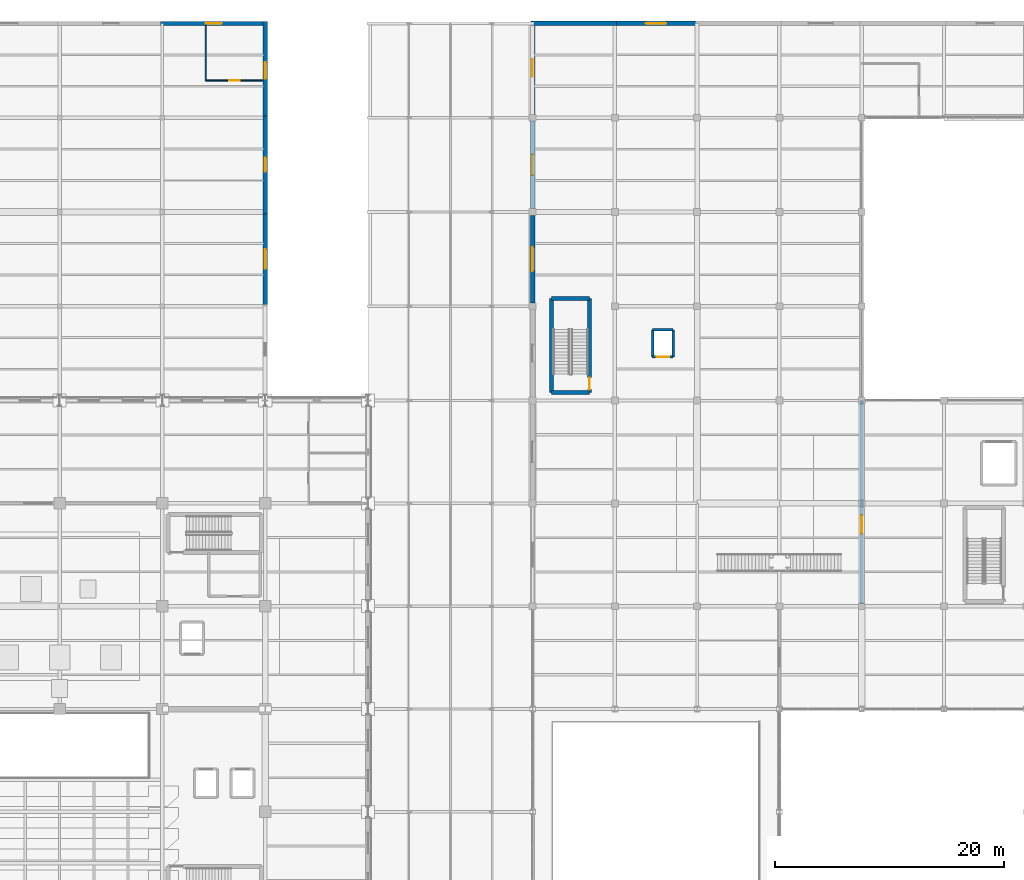
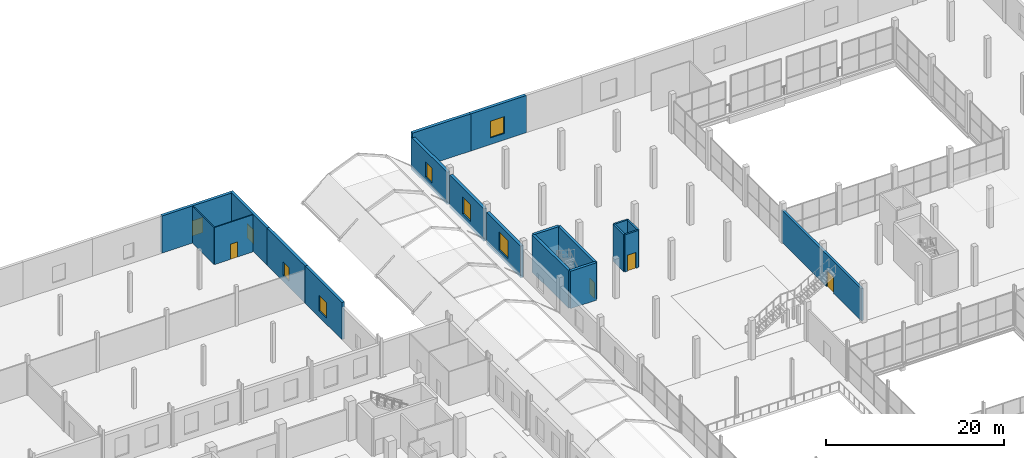
# One storey, part 122 of 141: 20 walls, 8 windows, 4 doors, 12 openings.
"""IFC4 building model written with IfcOpenShell, lengths in metres."""

from ifc_helpers import new_model, si_unit, direction, frame, frame_2d, origin, place, context, subcontext, project, spatial, rectangle, extrude, material, layer, layer_set, type_object, element, fill, save


model = new_model("IFC4")

# Units and contexts
model_context = context("Model", 3, precision=1e-05, world=origin(), true_north=direction((0.0, 1.0)))
body_context = subcontext(model_context, "Body", "Model", "MODEL_VIEW")
ifc_project = project(units=[si_unit("LENGTHUNIT", "METRE"), si_unit("AREAUNIT", "SQUARE_METRE"), si_unit("VOLUMEUNIT", "CUBIC_METRE"), si_unit("PLANEANGLEUNIT", "RADIAN"), si_unit("MASSUNIT", "GRAM", prefix="KILO")], contexts=[model_context])

# Site, building, storey
site_placement = place(None, origin())
site = spatial("IfcSite", under=ifc_project, at=site_placement, CompositionType="ELEMENT")
building_placement = place(site_placement, origin())
building = spatial("IfcBuilding", under=site, at=building_placement, Name="Sundgate Opera House", CompositionType="ELEMENT")
storey_placement = place(building_placement, frame((0.0, 0.0, 11.39990234375)))
storey = spatial("IfcBuildingStorey", under=building, at=storey_placement, Name="L02", CompositionType="ELEMENT", Elevation=11.39990234375)

# Walls
ifc_material_1 = material(Name="Concrete C40/50", Category="concrete")
ifc_layer_1 = layer(ifc_material_1, 0.35009765625)
ifc_layer_set_1 = layer_set([ifc_layer_1], Name="Concrete C40/50")
wall_type_1 = type_object("IfcWallType", Name="WL-CORE-350", PredefinedType="SHEAR", material=ifc_layer_set_1)
for number, where, z_axis, x_axis, name in (
    (1, (97.06005859375, 87.7099609375, 0.0), (0.0, 0.0, 1.0), (1.0, 0.0, 0.0), "L02 C5 South Shaft Wall"),
    (2, (97.06005859375, 95.93994140625, 0.0), (0.0, 0.0, 1.0), (1.0, 0.0, 0.0), "L02 C5 North Shaft Wall"),
):
    element("IfcWall", number, at=place(storey_placement, frame(where, z_axis=z_axis, x_axis=x_axis)), inside=storey, type_object=wall_type_1, Name=name, PredefinedType="SHEAR", context=body_context, shape_type="SweptSolid", body=[
        extrude(rectangle(XDim=3.329833984375, YDim=0.35009765625, at=frame_2d((1.6650390625, 0.0))), origin(), (0.0, 0.0, 1.0), 5.1201171875),
    ])
wall_1_placement = place(storey_placement, frame((97.06005859375, 87.7099609375, 0.0), z_axis=(0.0, 0.0, 1.0), x_axis=(0.0, 1.0, 0.0)))
element("IfcWall", 3, at=wall_1_placement, inside=storey, type_object=wall_type_1, Name="L02 C5 West Shaft Wall", PredefinedType="SHEAR", context=body_context, shape_type="SweptSolid", body=[
    extrude(rectangle(XDim=8.22998046875, YDim=0.35009765625, at=frame_2d((4.114990234375, 0.0))), origin(), (0.0, 0.0, 1.0), 5.1201171875),
])

# Wall, opening, door
wall_2_placement = place(storey_placement, frame((100.389892578125, 87.7099609375, 0.0), z_axis=(0.0, 0.0, 1.0), x_axis=(0.0, 1.0, 0.0)))
wall_2 = element("IfcWall", 4, at=wall_2_placement, inside=storey, type_object=wall_type_1, Name="L02 C5 East Shaft Wall", PredefinedType="SHEAR", context=body_context, shape_type="SweptSolid", body=[
    extrude(rectangle(XDim=8.22998046875, YDim=0.35009765625, at=frame_2d((4.114990234375, 0.0))), origin(), (0.0, 0.0, 1.0), 5.1201171875),
])
opening_1_placement = place(wall_2_placement, frame((0.239990234375, 0.0, 0.0)))
opening_1 = element("IfcOpeningElement", 5, at=opening_1_placement, cuts=wall_2, Name="Opening DI01", PredefinedType="OPENING", context=body_context, shape_type="SweptSolid", body=[
    extrude(rectangle(XDim=1.050048828125, YDim=2.179931640625, at=frame_2d((0.52490234375, 1.08984375))), frame((0.0, 0.18505859375, 0.0), z_axis=(0.0, -1.0, 0.0), x_axis=(1.0, 0.0, 0.0)), (0.0, 0.0, 1.0), 0.3701171875),
])
ifc_material_2 = material(Name="Acoustic hardwood timber and steel core", Category="steel")
door_type_1 = type_object("IfcDoorType", Name="DR-STAIR-1050x2180", OperationType="NOTDEFINED", PredefinedType="DOOR", material=ifc_material_2)
door_1_placement = place(opening_1_placement, origin())
door_1 = element("IfcDoor", 6, at=door_1_placement, inside=storey, type_object=door_type_1, Name="L02 C5 Stair Door D0075", OperationType="SINGLE_SWING_LEFT", OverallHeight=2.179931640625, OverallWidth=1.050048828125, PredefinedType="DOOR", context=body_context, shape_type="SweptSolid", body=[
    extrude(rectangle(XDim=1.050048828125, YDim=2.179931640625, at=frame_2d((0.52490234375, 1.08984375))), frame((0.0, 0.02490234375, 0.0), z_axis=(0.0, -1.0, 0.0), x_axis=(1.0, 0.0, 0.0)), (0.0, 0.0, 1.0), 0.050048828125),
])
fill(opening_1, door_1)

# Wall, opening, window
ifc_material_3 = material(Name="Scanian red-brown facing brick masonry", Category="masonry")
ifc_layer_2 = layer(ifc_material_3, 0.360107421875)
ifc_layer_set_2 = layer_set([ifc_layer_2], Name="Scanian red-brown facing brick masonry")
wall_type_2 = type_object("IfcWallType", Name="WL-EXT-BRICK-360", PredefinedType="SOLIDWALL", material=ifc_layer_set_2)
wall_3_placement = place(storey_placement, frame((62.840087890625, 120.0, 0.0), z_axis=(0.0, 0.0, 1.0), x_axis=(1.0, 0.0, 0.0)))
wall_3 = element("IfcWall", 7, at=wall_3_placement, inside=storey, type_object=wall_type_2, Name="L02 Costume Wing North Wall W0412", PredefinedType="SOLIDWALL", context=body_context, shape_type="SweptSolid", body=[
    extrude(rectangle(XDim=9.31982421875, YDim=0.360107421875, at=frame_2d((4.659912109375, 0.0))), origin(), (0.0, 0.0, 1.0), 5.085205078125),
])
opening_2_placement = place(wall_3_placement, frame((3.9599609375, 0.0, 0.85009765625)))
opening_2 = element("IfcOpeningElement", 8, at=opening_2_placement, cuts=wall_3, Name="Opening W11", PredefinedType="OPENING", context=body_context, shape_type="SweptSolid", body=[
    extrude(rectangle(XDim=1.39990234375, YDim=2.10009765625, at=frame_2d((0.699951171875, 1.050048828125))), frame((0.0, 0.18994140625, 0.0), z_axis=(0.0, -1.0, 0.0), x_axis=(1.0, 0.0, 0.0)), (0.0, 0.0, 1.0), 0.380126953125),
])
ifc_material_4 = material(Name="Low-iron triple glazing in patinated bronze frame", Category="glass")
window_type_1 = type_object("IfcWindowType", Name="WN-FOYR-1400x2100", PartitioningType="SINGLE_PANEL", PredefinedType="WINDOW", material=ifc_material_4)
window_1_placement = place(opening_2_placement, origin())
window_1 = element("IfcWindow", 9, at=window_1_placement, inside=storey, type_object=window_type_1, Name="L02 Costume Pavilion Window WN0325", OverallHeight=2.10009765625, OverallWidth=1.39990234375, PartitioningType="SINGLE_PANEL", PredefinedType="WINDOW", context=body_context, shape_type="SweptSolid", body=[
    extrude(rectangle(XDim=1.39990234375, YDim=2.10009765625, at=frame_2d((0.699951171875, 1.050048828125))), frame((0.0, 0.030029296875, 0.0), z_axis=(0.0, -1.0, 0.0), x_axis=(1.0, 0.0, 0.0)), (0.0, 0.0, 1.0), 0.06005859375),
])
fill(opening_2, window_1)

wall_4_placement = place(storey_placement, frame((72.0, 95.090087890625, 0.0), z_axis=(0.0, 0.0, 1.0), x_axis=(0.0, 1.0, 0.0)))
wall_4 = element("IfcWall", 10, at=wall_4_placement, inside=storey, type_object=wall_type_2, Name="L02 Costume Wing East Wall W0418", PredefinedType="SOLIDWALL", context=body_context, shape_type="SweptSolid", body=[
    extrude(rectangle(XDim=8.56982421875, YDim=0.360107421875, at=frame_2d((4.284912109375, 0.0))), origin(), (0.0, 0.0, 1.0), 5.085205078125),
])
opening_3_placement = place(wall_4_placement, frame((3.43505859375, 0.0, 0.85009765625)))
opening_3 = element("IfcOpeningElement", 11, at=opening_3_placement, cuts=wall_4, Name="Opening W13", PredefinedType="OPENING", context=body_context, shape_type="SweptSolid", body=[
    extrude(rectangle(XDim=1.699951171875, YDim=2.14990234375, at=frame_2d((0.85009765625, 1.074951171875))), frame((0.0, 0.18994140625, 0.0), z_axis=(0.0, -1.0, 0.0), x_axis=(1.0, 0.0, 0.0)), (0.0, 0.0, 1.0), 0.380126953125),
])
ifc_material_5 = material(Name="Low-iron triple glazing in patinated bronze frame", Category="glass")
window_type_2 = type_object("IfcWindowType", Name="WN-GALL-1700x2150", PartitioningType="SINGLE_PANEL", PredefinedType="WINDOW", material=ifc_material_5)
window_2_placement = place(opening_3_placement, origin())
window_2 = element("IfcWindow", 12, at=window_2_placement, inside=storey, type_object=window_type_2, Name="L02 Costume Pavilion Window WN0331", OverallHeight=2.14990234375, OverallWidth=1.699951171875, PartitioningType="SINGLE_PANEL", PredefinedType="WINDOW", context=body_context, shape_type="SweptSolid", body=[
    extrude(rectangle(XDim=1.699951171875, YDim=2.14990234375, at=frame_2d((0.85009765625, 1.074951171875))), frame((0.0, 0.030029296875, 0.0), z_axis=(0.0, -1.0, 0.0), x_axis=(1.0, 0.0, 0.0)), (0.0, 0.0, 1.0), 0.06005859375),
])
fill(opening_3, window_2)

wall_5_placement = place(storey_placement, frame((72.0, 103.340087890625, 0.0), z_axis=(0.0, 0.0, 1.0), x_axis=(0.0, 1.0, 0.0)))
wall_5 = element("IfcWall", 13, at=wall_5_placement, inside=storey, type_object=wall_type_2, Name="L02 Costume Wing East Wall W0419", PredefinedType="SOLIDWALL", context=body_context, shape_type="SweptSolid", body=[
    extrude(rectangle(XDim=8.56982421875, YDim=0.360107421875, at=frame_2d((4.284912109375, 0.0))), origin(), (0.0, 0.0, 1.0), 5.085205078125),
])
opening_4_placement = place(wall_5_placement, frame((3.659912109375, 0.0, 0.85009765625)))
opening_4 = element("IfcOpeningElement", 14, at=opening_4_placement, cuts=wall_5, Name="Opening W14", PredefinedType="OPENING", context=body_context, shape_type="SweptSolid", body=[
    extrude(rectangle(XDim=1.25, YDim=1.85009765625, at=frame_2d((0.625, 0.925048828125))), frame((0.0, 0.18994140625, 0.0), z_axis=(0.0, -1.0, 0.0), x_axis=(1.0, 0.0, 0.0)), (0.0, 0.0, 1.0), 0.380126953125),
])
ifc_material_6 = material(Name="Low-iron triple glazing in patinated bronze frame", Category="glass")
window_type_3 = type_object("IfcWindowType", Name="WN-DRES-1250x1850", PartitioningType="SINGLE_PANEL", PredefinedType="WINDOW", material=ifc_material_6)
window_3_placement = place(opening_4_placement, origin())
window_3 = element("IfcWindow", 15, at=window_3_placement, inside=storey, type_object=window_type_3, Name="L02 Costume Pavilion Window WN0332", OverallHeight=1.85009765625, OverallWidth=1.25, PartitioningType="SINGLE_PANEL", PredefinedType="WINDOW", context=body_context, shape_type="SweptSolid", body=[
    extrude(rectangle(XDim=1.25, YDim=1.85009765625, at=frame_2d((0.625, 0.925048828125))), frame((0.0, 0.030029296875, 0.0), z_axis=(0.0, -1.0, 0.0), x_axis=(1.0, 0.0, 0.0)), (0.0, 0.0, 1.0), 0.06005859375),
])
fill(opening_4, window_3)

wall_6_placement = place(storey_placement, frame((72.0, 111.590087890625, 0.0), z_axis=(0.0, 0.0, 1.0), x_axis=(0.0, 1.0, 0.0)))
wall_6 = element("IfcWall", 16, at=wall_6_placement, inside=storey, type_object=wall_type_2, Name="L02 Costume Wing East Wall W0420", PredefinedType="SOLIDWALL", context=body_context, shape_type="SweptSolid", body=[
    extrude(rectangle(XDim=8.56982421875, YDim=0.360107421875, at=frame_2d((4.284912109375, 0.0))), origin(), (0.0, 0.0, 1.0), 5.085205078125),
])
opening_5_placement = place(wall_6_placement, frame((3.56005859375, 0.0, 0.85009765625)))
opening_5 = element("IfcOpeningElement", 17, at=opening_5_placement, cuts=wall_6, Name="Opening W15", PredefinedType="OPENING", context=body_context, shape_type="SweptSolid", body=[
    extrude(rectangle(XDim=1.449951171875, YDim=1.949951171875, at=frame_2d((0.72509765625, 0.97509765625))), frame((0.0, 0.18994140625, 0.0), z_axis=(0.0, -1.0, 0.0), x_axis=(1.0, 0.0, 0.0)), (0.0, 0.0, 1.0), 0.380126953125),
])
ifc_material_7 = material(Name="Low-iron triple glazing in patinated bronze frame", Category="glass")
window_type_4 = type_object("IfcWindowType", Name="WN-LIBR-1450x1950", PartitioningType="SINGLE_PANEL", PredefinedType="WINDOW", material=ifc_material_7)
window_4_placement = place(opening_5_placement, origin())
window_4 = element("IfcWindow", 18, at=window_4_placement, inside=storey, type_object=window_type_4, Name="L02 Costume Pavilion Window WN0333", OverallHeight=1.949951171875, OverallWidth=1.449951171875, PartitioningType="SINGLE_PANEL", PredefinedType="WINDOW", context=body_context, shape_type="SweptSolid", body=[
    extrude(rectangle(XDim=1.449951171875, YDim=1.949951171875, at=frame_2d((0.72509765625, 0.97509765625))), frame((0.0, 0.030029296875, 0.0), z_axis=(0.0, -1.0, 0.0), x_axis=(1.0, 0.0, 0.0)), (0.0, 0.0, 1.0), 0.06005859375),
])
fill(opening_5, window_4)

# Wall
ifc_material_8 = material(Name="Scanian red-brown facing brick masonry", Category="masonry")
ifc_layer_3 = layer(ifc_material_8, 0.389892578125)
ifc_layer_set_3 = layer_set([ifc_layer_3], Name="Scanian red-brown facing brick masonry")
wall_type_3 = type_object("IfcWallType", Name="WL-EXT-BRICK-390", PredefinedType="SOLIDWALL", material=ifc_layer_set_3)
wall_7_placement = place(storey_placement, frame((95.239990234375, 120.0, 0.0), z_axis=(0.0, 0.0, 1.0), x_axis=(1.0, 0.0, 0.0)))
element("IfcWall", 19, at=wall_7_placement, inside=storey, type_object=wall_type_3, Name="L02 Conservatory North Brick Wall W0224", PredefinedType="SOLIDWALL", context=body_context, shape_type="SweptSolid", body=[
    extrude(rectangle(XDim=7.52001953125, YDim=0.389892578125, at=frame_2d((3.760009765625, 0.0))), origin(), (0.0, 0.0, 1.0), 5.085205078125),
])

# Wall, opening, window
wall_8_placement = place(storey_placement, frame((102.43994140625, 120.0, 0.0), z_axis=(0.0, 0.0, 1.0), x_axis=(1.0, 0.0, 0.0)))
wall_8 = element("IfcWall", 20, at=wall_8_placement, inside=storey, type_object=wall_type_3, Name="L02 Conservatory North Brick Wall W0225", PredefinedType="SOLIDWALL", context=body_context, shape_type="SweptSolid", body=[
    extrude(rectangle(XDim=7.52001953125, YDim=0.389892578125, at=frame_2d((3.760009765625, 0.0))), origin(), (0.0, 0.0, 1.0), 5.085205078125),
])
opening_6_placement = place(wall_8_placement, frame((2.860107421875, 0.0, 0.89990234375)))
opening_6 = element("IfcOpeningElement", 21, at=opening_6_placement, cuts=wall_8, Name="Opening W05", PredefinedType="OPENING", context=body_context, shape_type="SweptSolid", body=[
    extrude(rectangle(XDim=1.800048828125, YDim=2.300048828125, at=frame_2d((0.89990234375, 1.14990234375))), frame((0.0, 0.204833984375, 0.0), z_axis=(0.0, -1.0, 0.0), x_axis=(1.0, 0.0, 0.0)), (0.0, 0.0, 1.0), 0.409912109375),
])
ifc_material_9 = material(Name="Low-iron triple glazing in patinated bronze frame", Category="glass")
window_type_5 = type_object("IfcWindowType", Name="WN-CONS-1800x2300", PartitioningType="SINGLE_PANEL", PredefinedType="WINDOW", material=ifc_material_9)
window_5_placement = place(opening_6_placement, origin())
window_5 = element("IfcWindow", 22, at=window_5_placement, inside=storey, type_object=window_type_5, Name="L02 Conservatory Window WN0177", OverallHeight=2.300048828125, OverallWidth=1.800048828125, PartitioningType="SINGLE_PANEL", PredefinedType="WINDOW", context=body_context, shape_type="SweptSolid", body=[
    extrude(rectangle(XDim=1.800048828125, YDim=2.300048828125, at=frame_2d((0.89990234375, 1.14990234375))), frame((0.0, 0.030029296875, 0.0), z_axis=(0.0, -1.0, 0.0), x_axis=(1.0, 0.0, 0.0)), (0.0, 0.0, 1.0), 0.06005859375),
])
fill(opening_6, window_5)

wall_9_placement = place(storey_placement, frame((95.39990234375, 103.205078125, 0.0), z_axis=(0.0, 0.0, 1.0), x_axis=(0.0, -1.0, 0.0)))
wall_9 = element("IfcWall", 23, at=wall_9_placement, inside=storey, type_object=wall_type_3, Name="L02 Conservatory West Brick Wall W0243", PredefinedType="SOLIDWALL", context=body_context, shape_type="SweptSolid", body=[
    extrude(rectangle(XDim=7.66015625, YDim=0.389892578125, at=frame_2d((3.830078125, 0.0))), origin(), (0.0, 0.0, 1.0), 4.335205078125),
])
opening_7_placement = place(wall_9_placement, frame((2.780029296875, 0.0, 0.89990234375)))
opening_7 = element("IfcOpeningElement", 24, at=opening_7_placement, cuts=wall_9, Name="Opening W04", PredefinedType="OPENING", context=body_context, shape_type="SweptSolid", body=[
    extrude(rectangle(XDim=2.10009765625, YDim=2.5, at=frame_2d((1.050048828125, 1.25))), frame((0.0, 0.204833984375, 0.0), z_axis=(0.0, -1.0, 0.0), x_axis=(1.0, 0.0, 0.0)), (0.0, 0.0, 1.0), 0.409912109375),
])
ifc_material_10 = material(Name="Low-iron triple glazing in patinated bronze frame", Category="glass")
window_type_6 = type_object("IfcWindowType", Name="WN-CONS-2100x2500", PartitioningType="SINGLE_PANEL", PredefinedType="WINDOW", material=ifc_material_10)
window_6_placement = place(opening_7_placement, origin())
window_6 = element("IfcWindow", 25, at=window_6_placement, inside=storey, type_object=window_type_6, Name="L02 Conservatory Window WN0191", OverallHeight=2.5, OverallWidth=2.10009765625, PartitioningType="SINGLE_PANEL", PredefinedType="WINDOW", context=body_context, shape_type="SweptSolid", body=[
    extrude(rectangle(XDim=2.10009765625, YDim=2.5, at=frame_2d((1.050048828125, 1.25))), frame((0.0, 0.030029296875, 0.0), z_axis=(0.0, -1.0, 0.0), x_axis=(1.0, 0.0, 0.0)), (0.0, 0.0, 1.0), 0.06005859375),
])
fill(opening_7, window_6)

wall_10_placement = place(storey_placement, frame((95.39990234375, 111.455078125, 0.0), z_axis=(0.0, 0.0, 1.0), x_axis=(0.0, -1.0, 0.0)))
wall_10 = element("IfcWall", 26, at=wall_10_placement, inside=storey, type_object=wall_type_3, Name="L02 Conservatory West Brick Wall W0244", PredefinedType="SOLIDWALL", context=body_context, shape_type="SweptSolid", body=[
    extrude(rectangle(XDim=7.66015625, YDim=0.389892578125, at=frame_2d((3.830078125, 0.0))), origin(), (0.0, 0.0, 1.0), 4.43505859375),
])
opening_8_placement = place(wall_10_placement, frame((2.929931640625, 0.0, 0.89990234375)))
opening_8 = element("IfcOpeningElement", 27, at=opening_8_placement, cuts=wall_10, Name="Opening W05", PredefinedType="OPENING", context=body_context, shape_type="SweptSolid", body=[
    extrude(rectangle(XDim=1.800048828125, YDim=2.300048828125, at=frame_2d((0.89990234375, 1.14990234375))), frame((0.0, 0.204833984375, 0.0), z_axis=(0.0, -1.0, 0.0), x_axis=(1.0, 0.0, 0.0)), (0.0, 0.0, 1.0), 0.409912109375),
])
window_7_placement = place(opening_8_placement, origin())
window_7 = element("IfcWindow", 28, at=window_7_placement, inside=storey, type_object=window_type_5, Name="L02 Conservatory Window WN0192", OverallHeight=2.300048828125, OverallWidth=1.800048828125, PartitioningType="SINGLE_PANEL", PredefinedType="WINDOW", context=body_context, shape_type="SweptSolid", body=[
    extrude(rectangle(XDim=1.800048828125, YDim=2.300048828125, at=frame_2d((0.89990234375, 1.14990234375))), frame((0.0, 0.030029296875, 0.0), z_axis=(0.0, -1.0, 0.0), x_axis=(1.0, 0.0, 0.0)), (0.0, 0.0, 1.0), 0.06005859375),
])
fill(opening_8, window_7)

wall_11_placement = place(storey_placement, frame((95.39990234375, 120.159912109375, 0.0), z_axis=(0.0, 0.0, 1.0), x_axis=(0.0, -1.0, 0.0)))
wall_11 = element("IfcWall", 29, at=wall_11_placement, inside=storey, type_object=wall_type_3, Name="L02 Conservatory West Brick Wall W0245", PredefinedType="SOLIDWALL", context=body_context, shape_type="SweptSolid", body=[
    extrude(rectangle(XDim=8.114990234375, YDim=0.389892578125, at=frame_2d((4.0576171875, 0.0))), origin(), (0.0, 0.0, 1.0), 4.43505859375),
])
opening_9_placement = place(wall_11_placement, frame((3.30810546875, 0.0, 0.89990234375)))
opening_9 = element("IfcOpeningElement", 30, at=opening_9_placement, cuts=wall_11, Name="Opening W06", PredefinedType="OPENING", context=body_context, shape_type="SweptSolid", body=[
    extrude(rectangle(XDim=1.5, YDim=2.050048828125, at=frame_2d((0.75, 1.02490234375))), frame((0.0, 0.204833984375, 0.0), z_axis=(0.0, -1.0, 0.0), x_axis=(1.0, 0.0, 0.0)), (0.0, 0.0, 1.0), 0.409912109375),
])
ifc_material_11 = material(Name="Low-iron triple glazing in patinated bronze frame", Category="glass")
window_type_7 = type_object("IfcWindowType", Name="WN-CONS-1500x2050", PartitioningType="SINGLE_PANEL", PredefinedType="WINDOW", material=ifc_material_11)
window_8_placement = place(opening_9_placement, origin())
window_8 = element("IfcWindow", 31, at=window_8_placement, inside=storey, type_object=window_type_7, Name="L02 Conservatory Window WN0193", OverallHeight=2.050048828125, OverallWidth=1.5, PartitioningType="SINGLE_PANEL", PredefinedType="WINDOW", context=body_context, shape_type="SweptSolid", body=[
    extrude(rectangle(XDim=1.5, YDim=2.050048828125, at=frame_2d((0.75, 1.02490234375))), frame((0.0, 0.030029296875, 0.0), z_axis=(0.0, -1.0, 0.0), x_axis=(1.0, 0.0, 0.0)), (0.0, 0.0, 1.0), 0.06005859375),
])
fill(opening_9, window_8)

# Wall, opening, door
ifc_material_12 = material(Name="Double-leaf acoustic concrete blockwork C35/45", Category="masonry")
ifc_layer_4 = layer(ifc_material_12, 0.300048828125)
ifc_layer_set_4 = layer_set([ifc_layer_4], Name="Double-leaf acoustic concrete blockwork C35/45")
wall_type_4 = type_object("IfcWallType", Name="WL-INT-ACOUST-300", PredefinedType="PARTITIONING", material=ifc_layer_set_4)
wall_12_placement = place(storey_placement, frame((124.199951171875, 69.199951171875, 0.0), z_axis=(0.0, 0.0, 1.0), x_axis=(0.0, 1.0, 0.0)))
wall_12 = element("IfcWall", 32, at=wall_12_placement, inside=storey, type_object=wall_type_4, Name="L02 Interior Partition W1061", PredefinedType="PARTITIONING", context=body_context, shape_type="SweptSolid", body=[
    extrude(rectangle(XDim=17.800048828125, YDim=0.300048828125, at=frame_2d((8.89990234375, 0.0))), origin(), (0.0, 0.0, 1.0), 4.385009765625),
])
opening_10_placement = place(wall_12_placement, frame((6.156005859375, 0.0, 0.0)))
opening_10 = element("IfcOpeningElement", 33, at=opening_10_placement, cuts=wall_12, Name="Opening DI06", PredefinedType="OPENING", context=body_context, shape_type="SweptSolid", body=[
    extrude(rectangle(XDim=1.60009765625, YDim=2.25, at=frame_2d((0.800048828125, 1.125))), frame((0.0, 0.159912109375, 0.0), z_axis=(0.0, -1.0, 0.0), x_axis=(1.0, 0.0, 0.0)), (0.0, 0.0, 1.0), 0.320068359375),
])
ifc_material_13 = material(Name="Acoustic hardwood timber and steel core", Category="steel")
door_type_2 = type_object("IfcDoorType", Name="DR-REH-1600x2250", OperationType="DOUBLE_DOOR_SINGLE_SWING", PredefinedType="DOOR", material=ifc_material_13)
door_2_placement = place(opening_10_placement, origin())
door_2 = element("IfcDoor", 34, at=door_2_placement, inside=storey, type_object=door_type_2, Name="L02 Interior Door D0222", OperationType="DOUBLE_DOOR_SINGLE_SWING", OverallHeight=2.25, OverallWidth=1.60009765625, PredefinedType="DOOR", context=body_context, shape_type="SweptSolid", body=[
    extrude(rectangle(XDim=1.60009765625, YDim=2.25, at=frame_2d((0.800048828125, 1.125))), frame((0.0, 0.02490234375, 0.0), z_axis=(0.0, -1.0, 0.0), x_axis=(1.0, 0.0, 0.0)), (0.0, 0.0, 1.0), 0.050048828125),
])
fill(opening_10, door_2)

ifc_material_14 = material(Name="Fire-rated gypsum and mineral-wool shaft partition", Category="gypsum")
ifc_layer_5 = layer(ifc_material_14, 0.219970703125)
ifc_layer_set_5 = layer_set([ifc_layer_5], Name="Fire-rated gypsum and mineral-wool shaft partition")
wall_type_5 = type_object("IfcWallType", Name="WL-INT-FIRE-220", PredefinedType="PARTITIONING", material=ifc_layer_set_5)
wall_13_placement = place(storey_placement, frame((105.909912109375, 90.81005859375, 0.0), z_axis=(0.0, 0.0, 1.0), x_axis=(1.0, 0.0, 0.0)))
wall_13 = element("IfcWall", 35, at=wall_13_placement, inside=storey, type_object=wall_type_5, Name="L02 LF-04 South Shaft Wall", PredefinedType="PARTITIONING", context=body_context, shape_type="SweptSolid", body=[
    extrude(rectangle(XDim=1.780029296875, YDim=0.219970703125, at=frame_2d((0.89013671875, 0.0))), origin(), (0.0, 0.0, 1.0), 5.085205078125),
])
opening_11_placement = place(wall_13_placement, frame((0.340087890625, 0.0, 0.0)))
opening_11 = element("IfcOpeningElement", 36, at=opening_11_placement, cuts=wall_13, Name="Opening LD1", PredefinedType="OPENING", context=body_context, shape_type="SweptSolid", body=[
    extrude(rectangle(XDim=1.10009765625, YDim=2.179931640625, at=frame_2d((0.550048828125, 1.08984375))), frame((0.0, 0.119873046875, 0.0), z_axis=(0.0, -1.0, 0.0), x_axis=(1.0, 0.0, 0.0)), (0.0, 0.0, 1.0), 0.239990234375),
])
ifc_material_15 = material(Name="Brushed stainless steel EN 1.4301", Category="steel")
door_type_3 = type_object("IfcDoorType", Name="DR-LIFT-1100x2180", OperationType="DOUBLE_DOOR_SLIDING", PredefinedType="DOOR", material=ifc_material_15)
door_3_placement = place(opening_11_placement, origin())
door_3 = element("IfcDoor", 37, at=door_3_placement, inside=storey, type_object=door_type_3, Name="L02 LF-04 Landing Door D0116", OperationType="DOUBLE_DOOR_SLIDING", OverallHeight=2.179931640625, OverallWidth=1.10009765625, PredefinedType="DOOR", context=body_context, shape_type="SweptSolid", body=[
    extrude(rectangle(XDim=1.10009765625, YDim=2.179931640625, at=frame_2d((0.550048828125, 1.08984375))), frame((0.0, 0.02490234375, 0.0), z_axis=(0.0, -1.0, 0.0), x_axis=(1.0, 0.0, 0.0)), (0.0, 0.0, 1.0), 0.050048828125),
])
fill(opening_11, door_3)

# Walls
wall_14_placement = place(storey_placement, frame((105.909912109375, 93.18994140625, 0.0), z_axis=(0.0, 0.0, 1.0), x_axis=(1.0, 0.0, 0.0)))
element("IfcWall", 38, at=wall_14_placement, inside=storey, type_object=wall_type_5, Name="L02 LF-04 North Shaft Wall", PredefinedType="PARTITIONING", context=body_context, shape_type="SweptSolid", body=[
    extrude(rectangle(XDim=1.780029296875, YDim=0.219970703125, at=frame_2d((0.89013671875, 0.0))), origin(), (0.0, 0.0, 1.0), 5.085205078125),
])
for number, where, z_axis, x_axis, name in (
    (39, (105.909912109375, 90.81005859375, 0.0), (0.0, 0.0, 1.0), (0.0, 1.0, 0.0), "L02 LF-04 West Shaft Wall"),
    (40, (107.68994140625, 90.81005859375, 0.0), (0.0, 0.0, 1.0), (0.0, 1.0, 0.0), "L02 LF-04 East Shaft Wall"),
):
    element("IfcWall", number, at=place(storey_placement, frame(where, z_axis=z_axis, x_axis=x_axis)), inside=storey, type_object=wall_type_5, Name=name, PredefinedType="PARTITIONING", context=body_context, shape_type="SweptSolid", body=[
        extrude(rectangle(XDim=2.3798828125, YDim=0.219970703125, at=frame_2d((1.18994140625, 0.0))), origin(), (0.0, 0.0, 1.0), 5.085205078125),
    ])

# Wall, opening, door
ifc_material_16 = material(Name="Moisture-resistant sanitary partition", Category="gypsum")
ifc_layer_6 = layer(ifc_material_16, 0.114990234375)
ifc_layer_set_6 = layer_set([ifc_layer_6], Name="Moisture-resistant sanitary partition")
wall_type_6 = type_object("IfcWallType", Name="WL-INT-WET-115", PredefinedType="PARTITIONING", material=ifc_layer_set_6)
wall_15_placement = place(storey_placement, frame((66.800048828125, 115.0, 0.0), z_axis=(0.0, 0.0, 1.0), x_axis=(1.0, 0.0, 0.0)))
wall_15 = element("IfcWall", 41, at=wall_15_placement, inside=storey, type_object=wall_type_6, Name="L02 Interior Partition W1066", PredefinedType="PARTITIONING", context=body_context, shape_type="SweptSolid", body=[
    extrude(rectangle(XDim=5.0, YDim=0.114990234375, at=frame_2d((2.5, 0.0))), origin(), (0.0, 0.0, 1.0), 5.085205078125),
])
opening_12_placement = place(wall_15_placement, frame((2.0400390625, 0.0, 0.0)))
opening_12 = element("IfcOpeningElement", 42, at=opening_12_placement, cuts=wall_15, Name="Opening DI12", PredefinedType="OPENING", context=body_context, shape_type="SweptSolid", body=[
    extrude(rectangle(XDim=0.919921875, YDim=2.080078125, at=frame_2d((0.4599609375, 1.0400390625))), frame((0.0, 0.0673828125, 0.0), z_axis=(0.0, -1.0, 0.0), x_axis=(1.0, 0.0, 0.0)), (0.0, 0.0, 1.0), 0.135009765625),
])
ifc_material_17 = material(Name="Acoustic hardwood timber and steel core", Category="steel")
door_type_4 = type_object("IfcDoorType", Name="DR-WC-920x2080", OperationType="NOTDEFINED", PredefinedType="DOOR", material=ifc_material_17)
door_4_placement = place(opening_12_placement, origin())
door_4 = element("IfcDoor", 43, at=door_4_placement, inside=storey, type_object=door_type_4, Name="L02 Interior Door D0226", OperationType="SINGLE_SWING_LEFT", OverallHeight=2.080078125, OverallWidth=0.919921875, PredefinedType="DOOR", context=body_context, shape_type="SweptSolid", body=[
    extrude(rectangle(XDim=0.919921875, YDim=2.080078125, at=frame_2d((0.4599609375, 1.0400390625))), frame((0.0, 0.02490234375, 0.0), z_axis=(0.0, -1.0, 0.0), x_axis=(1.0, 0.0, 0.0)), (0.0, 0.0, 1.0), 0.050048828125),
])
fill(opening_12, door_4)

# Wall
wall_16_placement = place(storey_placement, frame((66.800048828125, 115.0, 0.0), z_axis=(0.0, 0.0, 1.0), x_axis=(0.0, 1.0, 0.0)))
element("IfcWall", 44, at=wall_16_placement, inside=storey, type_object=wall_type_6, Name="L02 Interior Partition W1067", PredefinedType="PARTITIONING", context=body_context, shape_type="SweptSolid", body=[
    extrude(rectangle(XDim=4.800048828125, YDim=0.114990234375, at=frame_2d((2.39990234375, 0.0))), origin(), (0.0, 0.0, 1.0), 5.085205078125),
])

save(model, "model.ifc")
